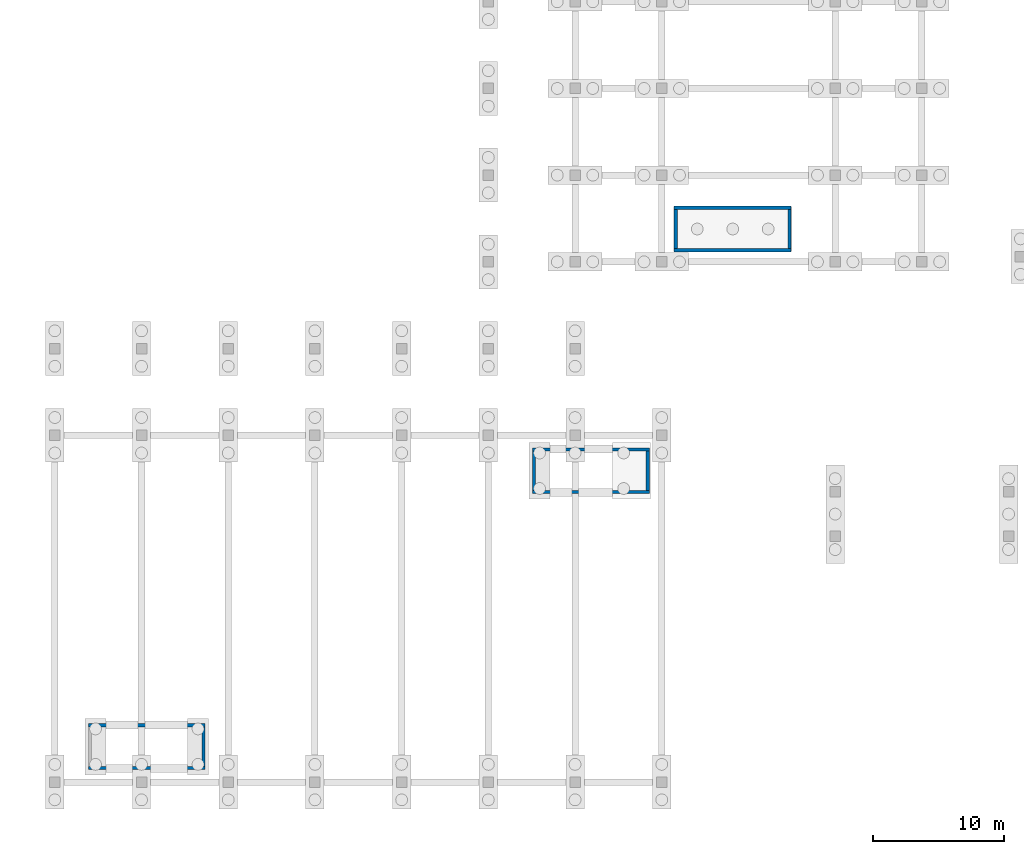
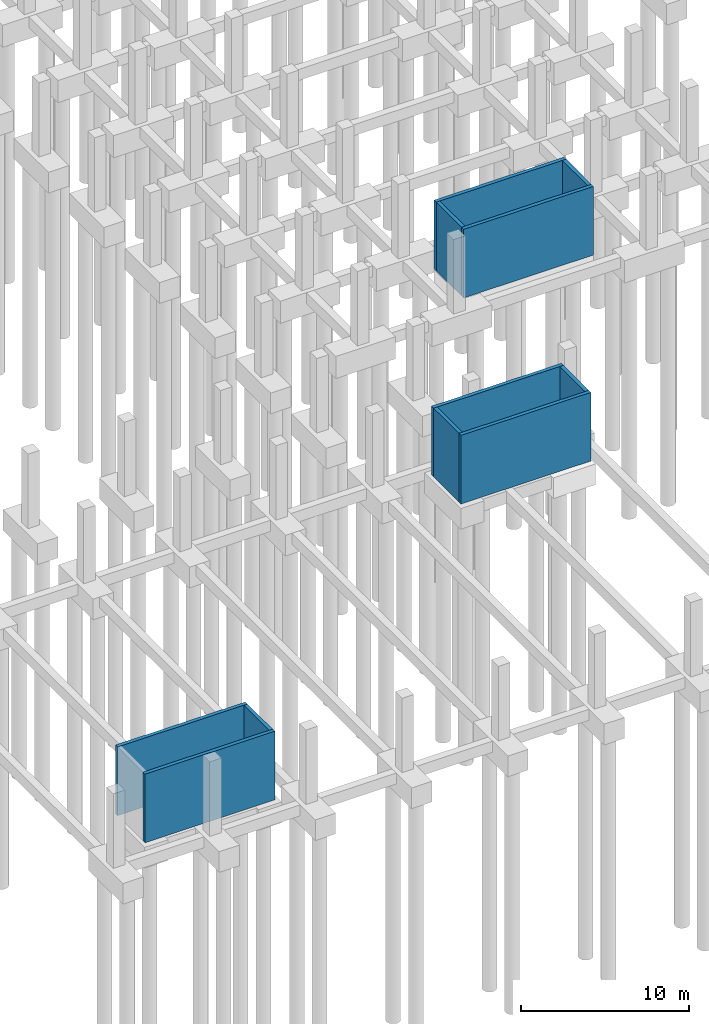
# One storey, part 8 of 23: 11 walls.
"""IFC4 building model written with IfcOpenShell, lengths in metres."""

from ifc_helpers import new_model, si_unit, direction, frame, frame_2d, origin, place, context, subcontext, project, spatial, rectangle, extrude, material, layer, layer_set, type_object, element, save


model = new_model("IFC4")

# Units and contexts
model_context = context("Model", 3, precision=1e-05, world=origin(), true_north=direction((0.0, 1.0)))
body_context = subcontext(model_context, "Body", "Model", "MODEL_VIEW")
ifc_project = project(units=[si_unit("LENGTHUNIT", "METRE"), si_unit("AREAUNIT", "SQUARE_METRE"), si_unit("VOLUMEUNIT", "CUBIC_METRE"), si_unit("PLANEANGLEUNIT", "RADIAN"), si_unit("MASSUNIT", "GRAM", prefix="KILO")], contexts=[model_context])

# Site, building, storey
site_placement = place(None, origin())
site = spatial("IfcSite", under=ifc_project, at=site_placement, CompositionType="ELEMENT")
building_placement = place(site_placement, origin())
building = spatial("IfcBuilding", under=site, at=building_placement, Name="Dornvale Research Institute", CompositionType="ELEMENT")
storey_placement = place(building_placement, frame((0.0, 0.0, -5.39990234375)))
storey = spatial("IfcBuildingStorey", under=building, at=storey_placement, Name="B1", CompositionType="ELEMENT", Elevation=-5.39990234375)

# Walls
ifc_material = material(Name="Concrete f'c 45 MPa (C35/45)", Category="concrete")
ifc_layer = layer(ifc_material, 0.25)
ifc_layer_set = layer_set([ifc_layer], Name="Concrete f'c 45 MPa (C35/45)")
wall_type = type_object("IfcWallType", Name="ShearWall_Core_250", PredefinedType="SHEAR", material=ifc_layer_set)
for number, where, z_axis, x_axis, name in (
    (1, (47.14990234375, 40.47509765625, 0.0), (0.0, 0.0, 1.0), (1.0, 0.0, 0.0), "B1 ST-7 foundation shaft wall south"),
    (2, (47.14990234375, 43.72509765625, 0.0), (0.0, 0.0, 1.0), (1.0, 0.0, 0.0), "B1 ST-7 foundation shaft wall north"),
):
    element("IfcWall", number, at=place(storey_placement, frame(where, z_axis=z_axis, x_axis=x_axis)), inside=storey, type_object=wall_type, Name=name, PredefinedType="SHEAR", context=body_context, shape_type="SweptSolid", body=[
        extrude(rectangle(XDim=8.900146484375, YDim=0.25, at=frame_2d((4.4501953125, 0.0))), origin(), (0.0, 0.0, 1.0), 4.97998046875),
    ])
for number, where, z_axis, x_axis, name in (
    (3, (47.27490234375, 40.60009765625, 0.0), (0.0, 0.0, 1.0), (0.0, 1.0, 0.0), "B1 ST-7 foundation shaft wall west"),
    (4, (55.925048828125, 40.60009765625, 0.0), (0.0, 0.0, 1.0), (0.0, 1.0, 0.0), "B1 ST-7 foundation shaft wall east"),
):
    element("IfcWall", number, at=place(storey_placement, frame(where, z_axis=z_axis, x_axis=x_axis)), inside=storey, type_object=wall_type, Name=name, PredefinedType="SHEAR", context=body_context, shape_type="SweptSolid", body=[
        extrude(rectangle(XDim=3.0, YDim=0.25, at=frame_2d((1.5, 0.0))), origin(), (0.0, 0.0, 1.0), 4.97998046875),
    ])
for number, where, z_axis, x_axis, name in (
    (5, (2.550048828125, 1.074951171875, 0.0), (0.0, 0.0, 1.0), (1.0, 0.0, 0.0), "B1 ST-9 foundation shaft wall south"),
    (6, (2.550048828125, 4.324951171875, 0.0), (0.0, 0.0, 1.0), (1.0, 0.0, 0.0), "B1 ST-9 foundation shaft wall north"),
):
    element("IfcWall", number, at=place(storey_placement, frame(where, z_axis=z_axis, x_axis=x_axis)), inside=storey, type_object=wall_type, Name=name, PredefinedType="SHEAR", context=body_context, shape_type="SweptSolid", body=[
        extrude(rectangle(XDim=8.89990234375, YDim=0.25, at=frame_2d((4.449951171875, 0.0))), origin(), (0.0, 0.0, 1.0), 4.97998046875),
    ])
wall_placement = place(storey_placement, frame((11.324951171875, 1.199951171875, 0.0), z_axis=(0.0, 0.0, 1.0), x_axis=(0.0, 1.0, 0.0)))
element("IfcWall", 7, at=wall_placement, inside=storey, type_object=wall_type, Name="B1 ST-9 foundation shaft wall east", PredefinedType="SHEAR", context=body_context, shape_type="SweptSolid", body=[
    extrude(rectangle(XDim=3.0, YDim=0.25, at=frame_2d((1.5, 0.0))), origin(), (0.0, 0.0, 1.0), 4.97998046875),
])
for number, where, z_axis, x_axis, name in (
    (8, (36.35009765625, 22.074951171875, 0.0), (0.0, 0.0, 1.0), (1.0, 0.0, 0.0), "B1 ST-10 foundation shaft wall south"),
    (9, (36.35009765625, 25.324951171875, 0.0), (0.0, 0.0, 1.0), (1.0, 0.0, 0.0), "B1 ST-10 foundation shaft wall north"),
):
    element("IfcWall", number, at=place(storey_placement, frame(where, z_axis=z_axis, x_axis=x_axis)), inside=storey, type_object=wall_type, Name=name, PredefinedType="SHEAR", context=body_context, shape_type="SweptSolid", body=[
        extrude(rectangle(XDim=8.89990234375, YDim=0.25, at=frame_2d((4.449951171875, 0.0))), origin(), (0.0, 0.0, 1.0), 4.97998046875),
    ])
for number, where, z_axis, x_axis, name in (
    (10, (36.47509765625, 22.199951171875, 0.0), (0.0, 0.0, 1.0), (0.0, 1.0, 0.0), "B1 ST-10 foundation shaft wall west"),
    (11, (45.125, 22.199951171875, 0.0), (0.0, 0.0, 1.0), (0.0, 1.0, 0.0), "B1 ST-10 foundation shaft wall east"),
):
    element("IfcWall", number, at=place(storey_placement, frame(where, z_axis=z_axis, x_axis=x_axis)), inside=storey, type_object=wall_type, Name=name, PredefinedType="SHEAR", context=body_context, shape_type="SweptSolid", body=[
        extrude(rectangle(XDim=3.0, YDim=0.25, at=frame_2d((1.5, 0.0))), origin(), (0.0, 0.0, 1.0), 4.97998046875),
    ])

save(model, "model.ifc")
